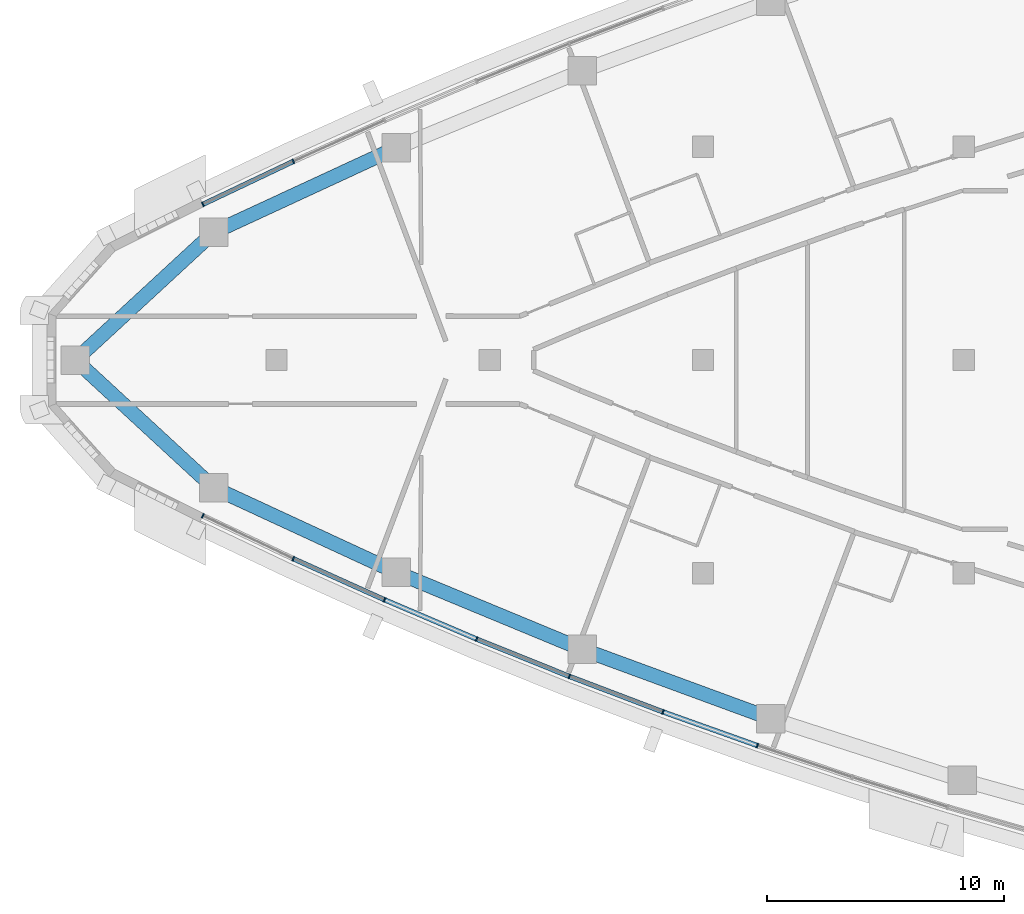
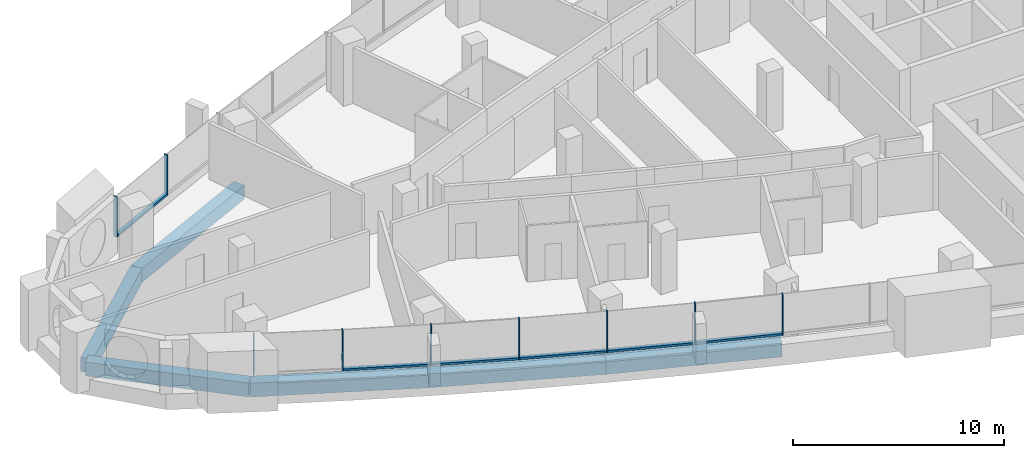
# One storey, part 2 of 15: 15 members, 6 beams, 4 elements without a shape of their own.
"""IFC4 building model written with IfcOpenShell, lengths in metres."""

import ifcopenshell
import ifcopenshell.guid

model = None  # the IFC model being written
_history = None  # IfcOwnerHistory: only IFC2X3 demands one
_inside = {}  # id of a spatial element -> (the spatial element, [elements in it])
_under = {}  # id of a project, library or spatial element -> (it, [spatial elements below it])
_declared = {}  # id of a project -> (the project, [libraries it declares])
_typed = {}  # id of a type object -> (the type object, [elements of that type])
_made_of = {}  # id of a material, layer set ... -> (it, [elements and type objects made of it])


def new_model(schema):
    """Start an empty IFC model of exactly this schema.

    Asked for "IFC4X3", IfcOpenShell would pick the latest addendum, in which some entities
    have other attributes; the version numbers below select the first issue.
    IFC2X3 requires an IfcOwnerHistory on every rooted entity: one is made here for all.
    """
    global model, _history
    if schema == "IFC4X3":
        model = ifcopenshell.file(schema_version=(4, 3, 0, 0))
    else:
        model = ifcopenshell.file(schema=schema)
    _inside.clear()
    _under.clear()
    _declared.clear()
    _typed.clear()
    _made_of.clear()
    _history = None
    if model.schema == "IFC2X3":
        org = make("IfcOrganization", Name="unknown")
        user = make(
            "IfcPersonAndOrganization",
            ThePerson=make("IfcPerson", FamilyName="unknown"),
            TheOrganization=org,
        )
        app = make(
            "IfcApplication",
            ApplicationDeveloper=org,
            Version="unknown",
            ApplicationFullName="unknown",
            ApplicationIdentifier="unknown",
        )
        _history = make(
            "IfcOwnerHistory",
            OwningUser=user,
            OwningApplication=app,
            ChangeAction="ADDED",
            CreationDate=0,
        )
    return model


def make(cls, **values):
    """One entity of the class cls with the attributes given. An attribute that is None is left unset."""
    return model.create_entity(
        cls, **{name: value for name, value in values.items() if value is not None}
    )


def rooted(cls, **values):
    """An entity with a GlobalId (a new one), such as an element, a storey or a relation."""
    return make(cls, GlobalId=ifcopenshell.guid.new(), OwnerHistory=_history, **values)


def si_unit(unit_type, name, prefix=None):
    """IfcSIUnit, for example si_unit("LENGTHUNIT", "METRE", prefix="MILLI")."""
    return make("IfcSIUnit", UnitType=unit_type, Prefix=prefix, Name=name)


def assignment(units):
    """IfcUnitAssignment: the units of a project."""
    return None if units is None else make("IfcUnitAssignment", Units=units)


def point(xyz):
    """IfcCartesianPoint."""
    return None if xyz is None else make("IfcCartesianPoint", Coordinates=xyz)


def direction(xyz):
    """IfcDirection."""
    return None if xyz is None else make("IfcDirection", DirectionRatios=xyz)


def frame(location, z_axis=None, x_axis=None):
    """IfcAxis2Placement3D, a coordinate frame: its origin and axes. An axis left out is left unset."""
    return make(
        "IfcAxis2Placement3D",
        Location=point(location),
        Axis=direction(z_axis),
        RefDirection=direction(x_axis),
    )


def frame_2d(location, x_axis=None):
    """IfcAxis2Placement2D, a coordinate frame in the plane: its origin and x axis."""
    return make(
        "IfcAxis2Placement2D", Location=point(location), RefDirection=direction(x_axis)
    )


def origin():
    """The frame at (0, 0, 0) with its axes left unset."""
    return frame((0.0, 0.0, 0.0))


def origin_2d():
    """The frame at (0, 0) in the plane with its x axis left unset."""
    return frame_2d((0.0, 0.0))


def place(relative_to, where):
    """IfcLocalPlacement: puts the frame where relative to a parent placement (None: the world)."""
    return make(
        "IfcLocalPlacement", PlacementRelTo=relative_to, RelativePlacement=where
    )


def context(
    kind, dimensions, precision=None, world=None, true_north=None, identifier=None
):
    """IfcGeometricRepresentationContext, for example the 3D "Model" context."""
    return make(
        "IfcGeometricRepresentationContext",
        ContextIdentifier=identifier,
        ContextType=kind,
        CoordinateSpaceDimension=dimensions,
        Precision=precision,
        WorldCoordinateSystem=world,
        TrueNorth=true_north,
    )


def subcontext(parent, identifier, kind, view, scale=None):
    """IfcGeometricRepresentationSubContext, for example "Body" below "Model"."""
    return make(
        "IfcGeometricRepresentationSubContext",
        ContextIdentifier=identifier,
        ContextType=kind,
        ParentContext=parent,
        TargetScale=scale,
        TargetView=view,
    )


def project(units=None, contexts=None):
    """IfcProject with its units and contexts."""
    return rooted(
        "IfcProject",
        Name="project",
        RepresentationContexts=contexts,
        UnitsInContext=assignment(units),
    )


def spatial(cls, under=None, at=None, **own):
    """A site, building, storey or space (cls), placed at a placement, below another one or the project."""
    s = rooted(cls, ObjectPlacement=at, **own)
    if under is not None:
        _under.setdefault(under.id(), (under, []))[1].append(s)
    return s


def profile(cls, at=None, kind="AREA", **sizes):
    """A parametric profile (cls). Its sizes go by their IFC names, for example OverallWidth=200.0."""
    return make(cls, ProfileType=kind, Position=at, **sizes)


def rectangle(**sizes):
    """IfcRectangleProfileDef."""
    return profile("IfcRectangleProfileDef", **sizes)


def extrude(swept, where, along, depth):
    """IfcExtrudedAreaSolid: the profile swept, set in the frame where, extruded along a direction by depth."""
    return make(
        "IfcExtrudedAreaSolid",
        SweptArea=swept,
        Position=where,
        ExtrudedDirection=direction(along),
        Depth=depth,
    )


def shape(context_of_items, identifier, shape_type, items):
    """IfcShapeRepresentation: the items that make up one representation, for example the "Body"."""
    return make(
        "IfcShapeRepresentation",
        ContextOfItems=context_of_items,
        RepresentationIdentifier=identifier,
        RepresentationType=shape_type,
        Items=items,
    )


def material(Name=None, Category=None):
    """IfcMaterial."""
    return make("IfcMaterial", Name=Name, Category=Category)


def layer(
    of_material, thickness, ventilated=None, Name=None, Category=None, Priority=None
):
    """IfcMaterialLayer: one layer of a wall or slab, of a material (None: an air gap)."""
    return make(
        "IfcMaterialLayer",
        Material=of_material,
        LayerThickness=thickness,
        IsVentilated=ventilated,
        Name=Name,
        Category=Category,
        Priority=Priority,
    )


def layer_set(layers, Name=None):
    """IfcMaterialLayerSet."""
    return make("IfcMaterialLayerSet", MaterialLayers=layers, LayerSetName=Name)


def material_profile(
    of_material, cross_section, Name=None, Category=None, Priority=None
):
    """IfcMaterialProfile: a cross section and its material."""
    return make(
        "IfcMaterialProfile",
        Name=Name,
        Material=of_material,
        Profile=cross_section,
        Priority=Priority,
        Category=Category,
    )


def profile_set(profiles, Name=None, composite=None):
    """IfcMaterialProfileSet."""
    return make(
        "IfcMaterialProfileSet",
        Name=Name,
        MaterialProfiles=profiles,
        CompositeProfile=composite,
    )


def made_of(thing, what):
    """Note that an element or type object is made of a material, layer set ...; save() writes the relation."""
    if what is not None:
        _made_of.setdefault(what.id(), (what, []))[1].append(thing)
    return thing


def type_object(cls, material=None, **own):
    """A type object (cls), such as IfcWallType, which elements share."""
    return made_of(rooted(cls, **own), material)


def element(
    cls,
    number,
    at=None,
    inside=None,
    cuts=None,
    type_object=None,
    material=None,
    context=None,
    identifier="Body",
    shape_type=None,
    held_by="IfcProductDefinitionShape",
    body=None,
    shapes=None,
    **own,
):
    """One element of the class cls, such as IfcWall. Its Tag is "e" and its number.

    at: its placement. inside: the storey or other place that contains it. cuts: it is an
    opening in that element (IfcRelVoidsElement). A single representation is given by context,
    identifier, shape_type and body (its items); several are given by shapes. held_by: the class
    of the entity that holds the representations. save() writes the other relations.
    """
    e = rooted(cls, Tag="e%d" % number, ObjectPlacement=at, **own)
    if body is not None:
        shapes = [shape(context, identifier, shape_type, body)]
    if shapes is not None:
        e.Representation = make(held_by, Representations=shapes)
    if inside is not None:
        _inside.setdefault(inside.id(), (inside, []))[1].append(e)
    if cuts is not None:
        rooted(
            "IfcRelVoidsElement", RelatingBuildingElement=cuts, RelatedOpeningElement=e
        )
    if type_object is not None:
        _typed.setdefault(type_object.id(), (type_object, []))[1].append(e)
    return made_of(e, material)


def aggregate(whole, parts):
    """IfcRelAggregates: a whole, such as a stair, and the parts it consists of."""
    return rooted("IfcRelAggregates", RelatingObject=whole, RelatedObjects=parts)


def save(model, path):
    """Write the relations noted so far, then the file.

    IfcRelAggregates (storeys below a building ...), IfcRelContainedInSpatialStructure (elements
    in a storey), IfcRelDefinesByType, IfcRelAssociatesMaterial and IfcRelDeclares: one each for
    every whole, place, type object, material and project.
    """
    for whole, parts in _under.values():
        aggregate(whole, parts)
    for where, things in _inside.values():
        rooted(
            "IfcRelContainedInSpatialStructure",
            RelatedElements=things,
            RelatingStructure=where,
        )
    for kind, things in _typed.values():
        rooted("IfcRelDefinesByType", RelatedObjects=things, RelatingType=kind)
    for what, things in _made_of.values():
        rooted("IfcRelAssociatesMaterial", RelatedObjects=things, RelatingMaterial=what)
    for by, libraries in _declared.values():
        rooted("IfcRelDeclares", RelatingContext=by, RelatedDefinitions=libraries)
    model.write(path)


model = new_model("IFC4")

# Units and contexts
model_context = context("Model", 3, precision=1e-05, world=origin(), true_north=direction((0.0, 1.0)))
body_context = subcontext(model_context, "Body", "Model", "MODEL_VIEW")
ifc_project = project(units=[si_unit("LENGTHUNIT", "METRE"), si_unit("AREAUNIT", "SQUARE_METRE"), si_unit("VOLUMEUNIT", "CUBIC_METRE"), si_unit("PLANEANGLEUNIT", "RADIAN"), si_unit("MASSUNIT", "GRAM", prefix="KILO")], contexts=[model_context])

# Site, building, storey
site_placement = place(None, origin())
site = spatial("IfcSite", under=ifc_project, at=site_placement, CompositionType="ELEMENT")
building_placement = place(site_placement, origin())
building = spatial("IfcBuilding", under=site, at=building_placement, Name="Ostrand Prow Hotel Tower", CompositionType="ELEMENT")
storey_placement = place(building_placement, frame((0.0, 0.0, 238.550048828125)))
storey = spatial("IfcBuildingStorey", under=building, at=storey_placement, Name="L60", CompositionType="ELEMENT", Elevation=238.550048828125)

# Beams
ifc_material_1 = material(Name="Concrete C50/60", Category="concrete")
ifc_material_profile_1 = material_profile(ifc_material_1, rectangle(XDim=0.60009765625, YDim=0.800048828125, at=origin_2d()), Name="RC 600x800")
ifc_profile_set_1 = profile_set([ifc_material_profile_1], Name="Concrete C50/60")
beam_type = type_object("IfcBeamType", Name="Edge beam 600x800 C50/60", PredefinedType="SPANDREL", material=ifc_profile_set_1)
beam_1_placement = place(storey_placement, frame((7.513916015625, 0.0, -0.699951171875), z_axis=(0.734806976358, -0.678276276672, 0.0), x_axis=(0.678276276672, 0.734806976358, 0.0)))
element("IfcBeam", 1, at=beam_1_placement, inside=storey, type_object=beam_type, Name="Edge beam P-S1", PredefinedType="SPANDREL", context=body_context, shape_type="SweptSolid", body=[
    extrude(rectangle(XDim=0.60009765625, YDim=0.800048828125, at=origin_2d()), origin(), (0.0, 0.0, 1.0), 7.95068359375),
])
beam_2_placement = place(storey_placement, frame((13.356201171875, -5.392822265625, -0.699951171875), z_axis=(0.907521936352, -0.420004684544, 0.0), x_axis=(0.420004684544, 0.907521936352, 0.0)))
element("IfcBeam", 2, at=beam_2_placement, inside=storey, type_object=beam_type, Name="Edge beam S1-S2", PredefinedType="SPANDREL", context=body_context, shape_type="SweptSolid", body=[
    extrude(rectangle(XDim=0.60009765625, YDim=0.800048828125, at=origin_2d()), origin(), (0.0, 0.0, 1.0), 8.4873046875),
])
for number, where, z_axis, x_axis, name in (
    (3, (21.05859375, -8.95751953125, -0.699951171875), (0.923890977326, -0.38265580097, 0.0), (0.38265580097, 0.923890977326, 0.0), "Edge beam S2-S3"),
    (4, (28.900146484375, -12.205322265625, -0.699951171875), (0.938684959139, -0.344776083113, 0.0), (0.344776083113, 0.938684959139, 0.0), "Edge beam S3-S4"),
):
    element("IfcBeam", number, at=place(storey_placement, frame(where, z_axis=z_axis, x_axis=x_axis)), inside=storey, type_object=beam_type, Name=name, PredefinedType="SPANDREL", context=body_context, shape_type="SweptSolid", body=[
        extrude(rectangle(XDim=0.60009765625, YDim=0.800048828125, at=origin_2d()), origin(), (0.0, 0.0, 1.0), 8.487548828125),
    ])
beam_3_placement = place(storey_placement, frame((21.05859375, 8.95751953125, -0.699951171875), z_axis=(-0.907521936352, -0.420004684544, 0.0), x_axis=(0.420004684544, -0.907521936352, 0.0)))
element("IfcBeam", 5, at=beam_3_placement, inside=storey, type_object=beam_type, Name="Edge beam N5-N6", PredefinedType="SPANDREL", context=body_context, shape_type="SweptSolid", body=[
    extrude(rectangle(XDim=0.60009765625, YDim=0.800048828125, at=origin_2d()), origin(), (0.0, 0.0, 1.0), 8.4873046875),
])
beam_4_placement = place(storey_placement, frame((13.356201171875, 5.392822265625, -0.699951171875), z_axis=(-0.734806976358, -0.678276276672, 0.0), x_axis=(0.678276276672, -0.734806976358, 0.0)))
element("IfcBeam", 6, at=beam_4_placement, inside=storey, type_object=beam_type, Name="Edge beam N6-P", PredefinedType="SPANDREL", context=body_context, shape_type="SweptSolid", body=[
    extrude(rectangle(XDim=0.60009765625, YDim=0.800048828125, at=origin_2d()), origin(), (0.0, 0.0, 1.0), 7.95068359375),
])

# Curtain wall, members
ifc_material_2 = material(Name="Insulated glass in bronze anodised frame", Category="glass")
ifc_layer = layer(ifc_material_2, 0.199951171875)
ifc_layer_set = layer_set([ifc_layer], Name="Insulated glass in bronze anodised frame")
curtain_wall_type = type_object("IfcCurtainWallType", Name="Strip curtain wall, fritted glass over bronze spandrel", PredefinedType="NOTDEFINED", material=ifc_layer_set)
curtain_wall_1_placement = place(storey_placement, origin())
curtain_wall_1 = element("IfcCurtainWall", 7, at=curtain_wall_1_placement, inside=storey, type_object=curtain_wall_type, Name="CW1 run CWS1", PredefinedType="NOTDEFINED")
ifc_material_3 = material(Name="Bronze anodised aluminium", Category="aluminium")
ifc_material_profile_2 = material_profile(ifc_material_3, rectangle(XDim=0.199951171875, YDim=0.06005859375, at=origin_2d()), Name="Mullion 60x200 bronze anodised aluminium")
ifc_profile_set_2 = profile_set([ifc_material_profile_2], Name="Bronze anodised aluminium")
member_type_1 = type_object("IfcMemberType", Name="Mullion 60x200 bronze anodised aluminium", PredefinedType="MULLION", material=ifc_profile_set_2)
member_1_placement = place(storey_placement, frame((12.893310546875, -6.57080078125, 0.89990234375), z_axis=(0.0, 0.0, 1.0), x_axis=(0.428861030937, 0.903370475577, 0.0)))
member_1 = element("IfcMember", 8, at=member_1_placement, type_object=member_type_1, Name="CW1 mullion 1", PredefinedType="MULLION", context=body_context, shape_type="SweptSolid", body=[
    extrude(rectangle(XDim=0.199951171875, YDim=0.06005859375, at=origin_2d()), origin(), (0.0, 0.0, 1.0), 2.35009765625),
])
member_2_placement = place(storey_placement, frame((16.708740234375, -8.382080078125, 0.89990234375), z_axis=(0.0, 0.0, 1.0), x_axis=(0.41058199404, 0.911823681514, 0.0)))
member_2 = element("IfcMember", 9, at=member_2_placement, type_object=member_type_1, Name="CW1 mullion 2", PredefinedType="MULLION", context=body_context, shape_type="SweptSolid", body=[
    extrude(rectangle(XDim=0.199951171875, YDim=0.06005859375, at=origin_2d()), origin(), (0.0, 0.0, 1.0), 2.35009765625),
])
member_3_placement = place(storey_placement, frame((20.56005859375, -10.116455078125, 0.89990234375), z_axis=(0.0, 0.0, 1.0), x_axis=(0.41058199404, 0.911823681514, 0.0)))
member_3 = element("IfcMember", 10, at=member_3_placement, type_object=member_type_1, Name="CW1 mullion 3", PredefinedType="MULLION", context=body_context, shape_type="SweptSolid", body=[
    extrude(rectangle(XDim=0.199951171875, YDim=0.06005859375, at=origin_2d()), origin(), (0.0, 0.0, 1.0), 2.35009765625),
])

curtain_wall_2_placement = place(storey_placement, origin())
curtain_wall_2 = element("IfcCurtainWall", 11, at=curtain_wall_2_placement, inside=storey, type_object=curtain_wall_type, Name="CW1 run CWS2", PredefinedType="NOTDEFINED")
member_4_placement = place(storey_placement, frame((24.445556640625, -11.772705078125, 0.89990234375), z_axis=(0.0, 0.0, 1.0), x_axis=(0.373533449004, 0.927616710972, 0.0)))
member_4 = element("IfcMember", 12, at=member_4_placement, type_object=member_type_1, Name="CW1 mullion 2", PredefinedType="MULLION", context=body_context, shape_type="SweptSolid", body=[
    extrude(rectangle(XDim=0.199951171875, YDim=0.06005859375, at=origin_2d()), origin(), (0.0, 0.0, 1.0), 2.35009765625),
])
member_5_placement = place(storey_placement, frame((28.363525390625, -13.350341796875, 0.89990234375), z_axis=(0.0, 0.0, 1.0), x_axis=(0.373533449004, 0.927616710972, 0.0)))
member_5 = element("IfcMember", 13, at=member_5_placement, type_object=member_type_1, Name="CW1 mullion 3", PredefinedType="MULLION", context=body_context, shape_type="SweptSolid", body=[
    extrude(rectangle(XDim=0.199951171875, YDim=0.06005859375, at=origin_2d()), origin(), (0.0, 0.0, 1.0), 2.35009765625),
])

curtain_wall_3_placement = place(storey_placement, origin())
curtain_wall_3 = element("IfcCurtainWall", 14, at=curtain_wall_3_placement, inside=storey, type_object=curtain_wall_type, Name="CW1 run CWS3", PredefinedType="NOTDEFINED")
member_6_placement = place(storey_placement, frame((32.3125, -14.848876953125, 0.89990234375), z_axis=(0.0, 0.0, 1.0), x_axis=(0.335877383374, 0.941905718922, 0.0)))
member_6 = element("IfcMember", 15, at=member_6_placement, type_object=member_type_1, Name="CW1 mullion 2", PredefinedType="MULLION", context=body_context, shape_type="SweptSolid", body=[
    extrude(rectangle(XDim=0.199951171875, YDim=0.06005859375, at=origin_2d()), origin(), (0.0, 0.0, 1.0), 2.35009765625),
])
member_7_placement = place(storey_placement, frame((36.291015625, -16.267578125, 0.89990234375), z_axis=(0.0, 0.0, 1.0), x_axis=(0.335877383374, 0.941905718922, 0.0)))
member_7 = element("IfcMember", 16, at=member_7_placement, type_object=member_type_1, Name="CW1 mullion 3", PredefinedType="MULLION", context=body_context, shape_type="SweptSolid", body=[
    extrude(rectangle(XDim=0.199951171875, YDim=0.06005859375, at=origin_2d()), origin(), (0.0, 0.0, 1.0), 2.35009765625),
])

curtain_wall_4_placement = place(storey_placement, origin())
curtain_wall_4 = element("IfcCurtainWall", 17, at=curtain_wall_4_placement, inside=storey, type_object=curtain_wall_type, Name="CW1 run CWN5", PredefinedType="NOTDEFINED")
member_8_placement = place(storey_placement, frame((16.708740234375, 8.382080078125, 0.89990234375), z_axis=(0.0, 0.0, 1.0), x_axis=(0.428861030937, -0.903370475577, 0.0)))
member_8 = element("IfcMember", 18, at=member_8_placement, type_object=member_type_1, Name="CW1 mullion 2", PredefinedType="MULLION", context=body_context, shape_type="SweptSolid", body=[
    extrude(rectangle(XDim=0.199951171875, YDim=0.06005859375, at=origin_2d()), origin(), (0.0, 0.0, 1.0), 2.35009765625),
])
member_9_placement = place(storey_placement, frame((12.893310546875, 6.57080078125, 0.89990234375), z_axis=(0.0, 0.0, 1.0), x_axis=(0.428861030937, -0.903370475577, 0.0)))
member_9 = element("IfcMember", 19, at=member_9_placement, type_object=member_type_1, Name="CW1 mullion 3", PredefinedType="MULLION", context=body_context, shape_type="SweptSolid", body=[
    extrude(rectangle(XDim=0.199951171875, YDim=0.06005859375, at=origin_2d()), origin(), (0.0, 0.0, 1.0), 2.35009765625),
])

# Member
ifc_material_4 = material(Name="Bronze anodised aluminium", Category="aluminium")
ifc_material_profile_3 = material_profile(ifc_material_4, rectangle(XDim=0.199951171875, YDim=0.1201171875, at=origin_2d()), Name="Transom 120x200 bronze anodised aluminium")
ifc_profile_set_3 = profile_set([ifc_material_profile_3], Name="Bronze anodised aluminium")
member_type_2 = type_object("IfcMemberType", Name="Transom 120x200 bronze anodised aluminium", PredefinedType="USERDEFINED", material=ifc_profile_set_3)
member_10_placement = place(storey_placement, frame((16.736083984375, -8.39453125, 0.9599609375), z_axis=(0.911832617051, -0.410562149353, 0.0), x_axis=(0.410562149353, 0.911832617051, 0.0)))
member_10 = element("IfcMember", 20, at=member_10_placement, type_object=member_type_2, Name="CW1 transom 2.1", ObjectType="TRANSOM", PredefinedType="USERDEFINED", context=body_context, shape_type="SweptSolid", body=[
    extrude(rectangle(XDim=0.199951171875, YDim=0.1201171875, at=origin_2d()), origin(), (0.0, 0.0, 1.0), 4.163818359375),
])

aggregate(curtain_wall_1, [member_1, member_2, member_3, member_10])

member_11_placement = place(storey_placement, frame((20.587646484375, -10.128173828125, 0.9599609375), z_axis=(0.919904541337, -0.392142365509, 0.0), x_axis=(0.392142365509, 0.919904541337, 0.0)))
member_11 = element("IfcMember", 21, at=member_11_placement, type_object=member_type_2, Name="CW1 transom 1.1", ObjectType="TRANSOM", PredefinedType="USERDEFINED", context=body_context, shape_type="SweptSolid", body=[
    extrude(rectangle(XDim=0.199951171875, YDim=0.1201171875, at=origin_2d()), origin(), (0.0, 0.0, 1.0), 4.163818359375),
])

member_12_placement = place(storey_placement, frame((24.473388671875, -11.783935546875, 0.9599609375), z_axis=(0.927625049372, -0.373512741119, 0.0), x_axis=(0.373512741119, 0.927625049372, 0.0)))
member_12 = element("IfcMember", 22, at=member_12_placement, type_object=member_type_2, Name="CW1 transom 2.1", ObjectType="TRANSOM", PredefinedType="USERDEFINED", context=body_context, shape_type="SweptSolid", body=[
    extrude(rectangle(XDim=0.199951171875, YDim=0.1201171875, at=origin_2d()), origin(), (0.0, 0.0, 1.0), 4.16357421875),
])

aggregate(curtain_wall_2, [member_4, member_5, member_11, member_12])

member_13_placement = place(storey_placement, frame((28.3916015625, -13.361083984375, 0.9599609375), z_axis=(0.934960644813, -0.354751451936, 0.0), x_axis=(0.354751451936, 0.934960644813, 0.0)))
member_13 = element("IfcMember", 23, at=member_13_placement, type_object=member_type_2, Name="CW1 transom 1.1", ObjectType="TRANSOM", PredefinedType="USERDEFINED", context=body_context, shape_type="SweptSolid", body=[
    extrude(rectangle(XDim=0.199951171875, YDim=0.1201171875, at=origin_2d()), origin(), (0.0, 0.0, 1.0), 4.16357421875),
])

member_14_placement = place(storey_placement, frame((32.3408203125, -14.85888671875, 0.9599609375), z_axis=(0.941911594104, -0.335860907061, 0.0), x_axis=(0.335860907061, 0.941911594104, 0.0)))
member_14 = element("IfcMember", 24, at=member_14_placement, type_object=member_type_2, Name="CW1 transom 2.1", ObjectType="TRANSOM", PredefinedType="USERDEFINED", context=body_context, shape_type="SweptSolid", body=[
    extrude(rectangle(XDim=0.199951171875, YDim=0.1201171875, at=origin_2d()), origin(), (0.0, 0.0, 1.0), 4.163818359375),
])

aggregate(curtain_wall_3, [member_6, member_7, member_13, member_14])

member_15_placement = place(storey_placement, frame((16.681640625, 8.369384765625, 0.9599609375), z_axis=(-0.903364977925, -0.428872611226, 0.0), x_axis=(0.428872611226, -0.903364977925, 0.0)))
member_15 = element("IfcMember", 25, at=member_15_placement, type_object=member_type_2, Name="CW1 transom 2.1", ObjectType="TRANSOM", PredefinedType="USERDEFINED", context=body_context, shape_type="SweptSolid", body=[
    extrude(rectangle(XDim=0.199951171875, YDim=0.1201171875, at=origin_2d()), origin(), (0.0, 0.0, 1.0), 4.16357421875),
])

aggregate(curtain_wall_4, [member_8, member_9, member_15])

save(model, "model.ifc")
